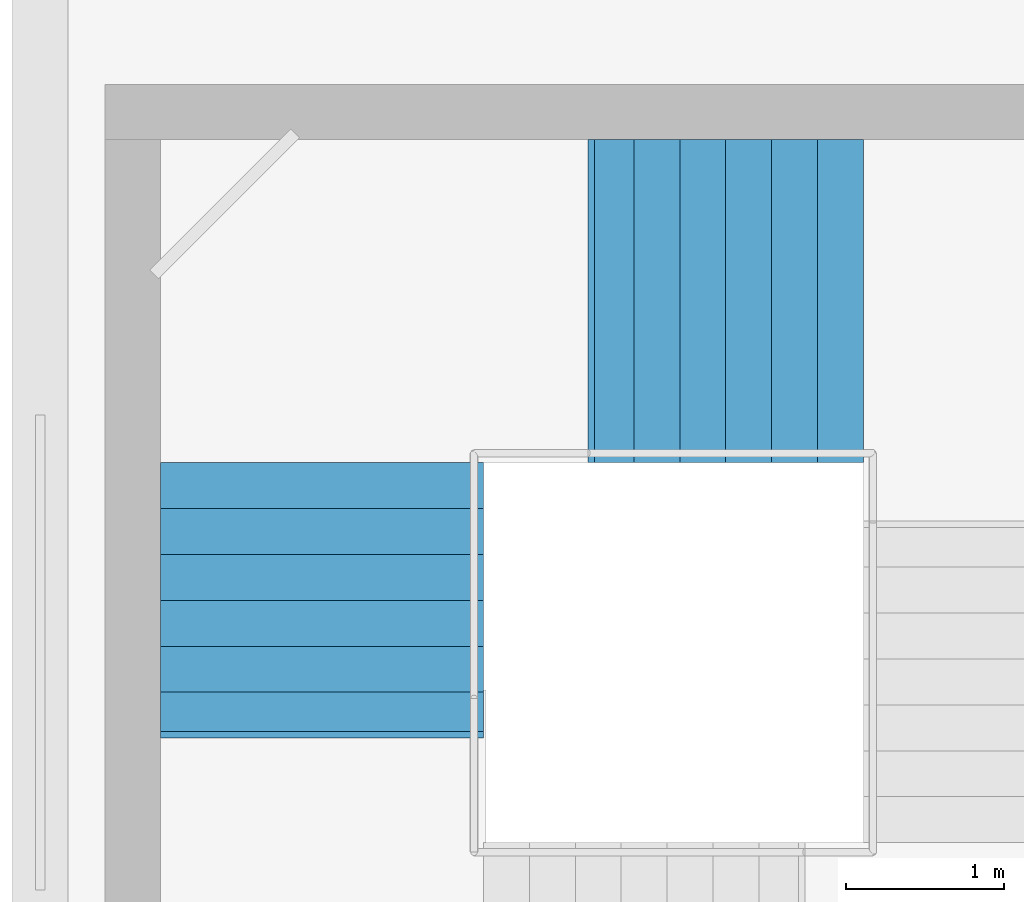
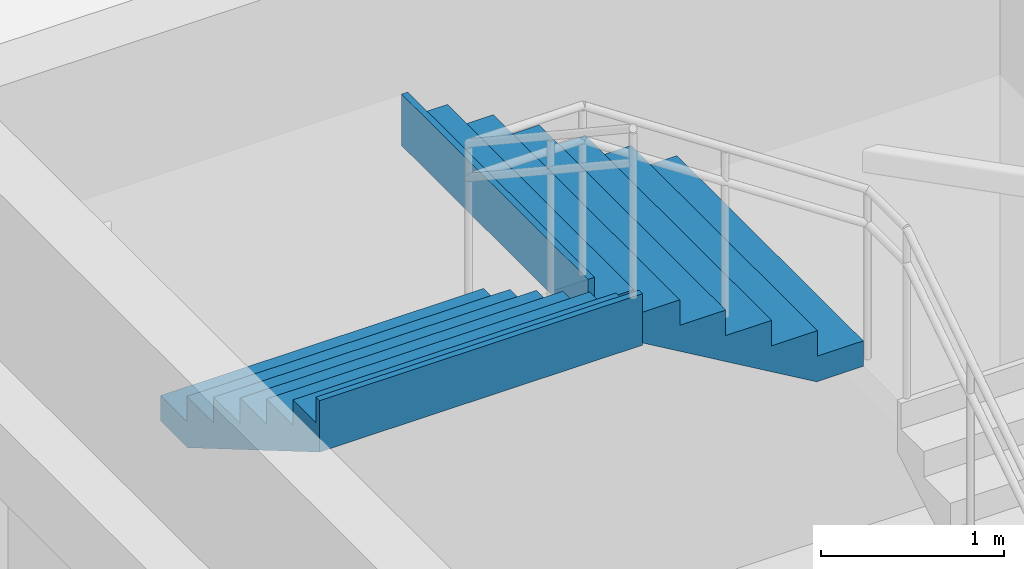
# One storey, part 64 of 67: 2 stair flights, 1 element without a shape of its own.
"""IFC4 building model written with IfcOpenShell, lengths in metres."""

from ifc_helpers import new_model, si_unit, direction, frame, origin, place, context, subcontext, project, spatial, triangles, material, type_object, element, aggregate, save


model = new_model("IFC4")

# Units and contexts
model_context = context("Model", 3, precision=1e-05, world=origin(), true_north=direction((0.0, 1.0)))
body_context = subcontext(model_context, "Body", "Model", "MODEL_VIEW")
ifc_project = project(units=[si_unit("LENGTHUNIT", "METRE"), si_unit("AREAUNIT", "SQUARE_METRE"), si_unit("VOLUMEUNIT", "CUBIC_METRE"), si_unit("PLANEANGLEUNIT", "RADIAN"), si_unit("MASSUNIT", "GRAM", prefix="KILO")], contexts=[model_context])

# Site, building, storey
site_placement = place(None, origin())
site = spatial("IfcSite", under=ifc_project, at=site_placement, CompositionType="ELEMENT")
building_placement = place(site_placement, origin())
building = spatial("IfcBuilding", under=site, at=building_placement, Name="Sillaruma Civic Art Gallery", CompositionType="ELEMENT")
storey_placement = place(building_placement, frame((0.0, 0.0, 46.919921875)))
storey = spatial("IfcBuildingStorey", under=building, at=storey_placement, Name="L09", CompositionType="ELEMENT", Elevation=46.919921875)

# Stair, stair flights
ifc_material = material(Name="Concrete H35 (35 MPa)", Category="concrete")
stair_type = type_object("IfcStairType", Name="STR-4F-30", PredefinedType="USERDEFINED", material=ifc_material)
stair_placement = place(storey_placement, origin())
stair = element("IfcStair", 1, at=stair_placement, inside=storey, type_object=stair_type, Name="Protected Exit Stair ST-02 (West Bar North) (L09)", ObjectType="THREE_RETURN_STAIR", PredefinedType="USERDEFINED")
stair_flight_type = type_object("IfcStairFlightType", Name="SFL-STR-7", PredefinedType="STRAIGHT", material=ifc_material)
stair_flight_1_placement = place(storey_placement, frame((67.199951171875, 86.3701171875, 2.719970703125), z_axis=(0.0, 0.0, 1.0), x_axis=(-1.0, 0.0, 0.0)))
stair_flight_1 = element("IfcStairFlight", 2, at=stair_flight_1_placement, type_object=stair_flight_type, Name="ST-02 flight 3", NumberOfRisers=7, NumberOfTreads=6, PredefinedType="STRAIGHT", RiserHeight=0.17, TreadLength=0.29, context=body_context, shape_type="Tessellation", body=[
    triangles([(0.0, -1.02001953125, 0.0), (0.29, -1.02001953125, 0.0), (0.296404, -1.02001953125, 0.0), (0.58, -1.02001953125, 0.166246), (0.87, -1.02001953125, 0.336246), (1.16, -1.02001953125, 0.506246), (1.45, -1.02001953125, 0.676246), (1.69999, -1.02001953125, 0.822792), (1.73999, -1.02001953125, 0.84624), (1.73999, -1.02001953125, 1.19), (1.69999, -1.02001953125, 1.19), (1.69999, -1.02001953125, 1.02), (1.45, -1.02001953125, 1.02), (1.45, -1.02001953125, 0.85), (1.16, -1.02001953125, 0.85), (1.16, -1.02001953125, 0.68), (0.87, -1.02001953125, 0.68), (0.87, -1.02001953125, 0.51), (0.58, -1.02001953125, 0.51), (0.58, -1.02001953125, 0.34), (0.296404, -1.02001953125, 0.34), (0.29, -1.02001953125, 0.34), (0.29, -1.02001953125, 0.17), (0.0, -1.02001953125, 0.17), (0.0, -0.05, 0.0), (0.29, -0.05, 0.0), (0.296404, -0.05, 0.0), (0.58, -0.05, 0.166246), (0.87, -0.05, 0.336246), (1.16, -0.05, 0.506246), (1.45, -0.05, 0.676246), (1.69999, -0.05, 0.822792), (1.73999, -0.05, 0.84624), (1.73999, -0.05, 1.19), (1.69999, -0.05, 1.19), (1.69999, -0.05, 1.02), (1.45, -0.05, 1.02), (1.45, -0.05, 0.85), (1.16, -0.05, 0.85), (1.16, -0.05, 0.68), (0.87, -0.05, 0.68), (0.87, -0.05, 0.51), (0.58, -0.05, 0.51), (0.58, -0.05, 0.34), (0.296404, -0.05, 0.34), (0.29, -0.05, 0.34), (0.29, -0.05, 0.17), (0.0, -0.05, 0.17), (0.0, -0.0375, 0.0), (0.29, -0.0375, 0.0), (0.296404, -0.0375, 0.0), (0.58, -0.0375, 0.166246), (0.87, -0.0375, 0.336246), (1.16, -0.0375, 0.506246), (1.45, -0.0375, 0.676246), (1.69999, -0.0375, 0.822792), (1.73999, -0.0375, 0.84624), (1.73999, -0.0375, 1.19), (1.69999, -0.0375, 1.19), (1.69999, -0.0375, 1.02), (1.45, -0.0375, 1.02), (1.45, -0.0375, 0.85), (1.16, -0.0375, 0.85), (1.16, -0.0375, 0.68), (0.87, -0.0375, 0.68), (0.87, -0.0375, 0.51), (0.58, -0.0375, 0.51), (0.58, -0.0375, 0.34), (0.296404, -0.0375, 0.34), (0.29, -0.0375, 0.34), (0.29, -0.0375, 0.17), (0.0, -0.0375, 0.17), (0.0, -0.025, 0.0), (0.29, -0.025, 0.0), (0.296404, -0.025, 0.0), (0.58, -0.025, 0.166246), (0.87, -0.025, 0.336246), (1.16, -0.025, 0.506246), (1.45, -0.025, 0.676246), (1.69999, -0.025, 0.822792), (1.73999, -0.025, 0.84624), (1.73999, -0.025, 1.19), (1.69999, -0.025, 1.19), (1.69999, -0.025, 1.02), (1.45, -0.025, 1.02), (1.45, -0.025, 0.85), (1.16, -0.025, 0.85), (1.16, -0.025, 0.68), (0.87, -0.025, 0.68), (0.87, -0.025, 0.51), (0.58, -0.025, 0.51), (0.58, -0.025, 0.34), (0.296404, -0.025, 0.34), (0.29, -0.025, 0.34), (0.29, -0.025, 0.17), (0.0, -0.025, 0.17), (0.0, -0.0125, 0.0), (0.29, -0.0125, 0.0), (0.296404, -0.0125, 0.0), (0.58, -0.0125, 0.166246), (0.87, -0.0125, 0.336246), (1.16, -0.0125, 0.506246), (1.45, -0.0125, 0.676246), (1.69999, -0.0125, 0.822792), (1.73999, -0.0125, 0.84624), (1.73999, -0.0125, 1.19), (1.69999, -0.0125, 1.19), (1.69999, -0.0125, 1.02), (1.45, -0.0125, 1.02), (1.45, -0.0125, 0.85), (1.16, -0.0125, 0.85), (1.16, -0.0125, 0.68), (0.87, -0.0125, 0.68), (0.87, -0.0125, 0.51), (0.58, -0.0125, 0.51), (0.58, -0.0125, 0.34), (0.296404, -0.0125, 0.34), (0.29, -0.0125, 0.34), (0.29, -0.0125, 0.17), (0.0, -0.0125, 0.17), (0.0, 0.0, 0.0), (0.29, 0.0, 0.0), (0.296404, 0.0, 0.0), (0.58, 0.0, 0.166246), (0.87, 0.0, 0.336246), (1.16, 0.0, 0.506246), (1.45, 0.0, 0.676246), (1.69999, 0.0, 0.822792), (1.73999, 0.0, 0.84624), (1.73999, 0.0, 1.19), (1.69999, 0.0, 1.19), (1.69999, 0.0, 1.02), (1.45, 0.0, 1.02), (1.45, 0.0, 0.85), (1.16, 0.0, 0.85), (1.16, 0.0, 0.68), (0.87, 0.0, 0.68), (0.87, 0.0, 0.51), (0.58, 0.0, 0.51), (0.58, 0.0, 0.34), (0.296404, 0.0, 0.34), (0.29, 0.0, 0.34), (0.29, 0.0, 0.17), (0.0, 0.0, 0.17), (0.0, 0.0125, 0.0), (0.29, 0.0125, 0.0), (0.296404, 0.0125, 0.0), (0.58, 0.0125, 0.166246), (0.87, 0.0125, 0.336246), (1.16, 0.0125, 0.506246), (1.45, 0.0125, 0.676246), (1.69999, 0.0125, 0.822792), (1.73999, 0.0125, 0.84624), (1.73999, 0.0125, 1.19), (1.69999, 0.0125, 1.19), (1.69999, 0.0125, 1.02), (1.45, 0.0125, 1.02), (1.45, 0.0125, 0.85), (1.16, 0.0125, 0.85), (1.16, 0.0125, 0.68), (0.87, 0.0125, 0.68), (0.87, 0.0125, 0.51), (0.58, 0.0125, 0.51), (0.58, 0.0125, 0.34), (0.296404, 0.0125, 0.34), (0.29, 0.0125, 0.34), (0.29, 0.0125, 0.17), (0.0, 0.0125, 0.17), (0.0, 0.025, 0.0), (0.29, 0.025, 0.0), (0.296404, 0.025, 0.0), (0.58, 0.025, 0.166246), (0.87, 0.025, 0.336246), (1.16, 0.025, 0.506246), (1.45, 0.025, 0.676246), (1.69999, 0.025, 0.822792), (1.73999, 0.025, 0.84624), (1.73999, 0.025, 1.19), (1.69999, 0.025, 1.19), (1.69999, 0.025, 1.02), (1.45, 0.025, 1.02), (1.45, 0.025, 0.85), (1.16, 0.025, 0.85), (1.16, 0.025, 0.68), (0.87, 0.025, 0.68), (0.87, 0.025, 0.51), (0.58, 0.025, 0.51), (0.58, 0.025, 0.34), (0.296404, 0.025, 0.34), (0.29, 0.025, 0.34), (0.29, 0.025, 0.17), (0.0, 0.025, 0.17), (0.0, 0.0375, 0.0), (0.29, 0.0375, 0.0), (0.296404, 0.0375, 0.0), (0.58, 0.0375, 0.166246), (0.87, 0.0375, 0.336246), (1.16, 0.0375, 0.506246), (1.45, 0.0375, 0.676246), (1.69999, 0.0375, 0.822792), (1.73999, 0.0375, 0.84624), (1.73999, 0.0375, 1.19), (1.69999, 0.0375, 1.19), (1.69999, 0.0375, 1.02), (1.45, 0.0375, 1.02), (1.45, 0.0375, 0.85), (1.16, 0.0375, 0.85), (1.16, 0.0375, 0.68), (0.87, 0.0375, 0.68), (0.87, 0.0375, 0.51), (0.58, 0.0375, 0.51), (0.58, 0.0375, 0.34), (0.296404, 0.0375, 0.34), (0.29, 0.0375, 0.34), (0.29, 0.0375, 0.17), (0.0, 0.0375, 0.17), (0.0, 0.05, 0.0), (0.29, 0.05, 0.0), (0.296404, 0.05, 0.0), (0.58, 0.05, 0.166246), (0.87, 0.05, 0.336246), (1.16, 0.05, 0.506246), (1.45, 0.05, 0.676246), (1.69999, 0.05, 0.822792), (1.73999, 0.05, 0.84624), (1.73999, 0.05, 1.19), (1.69999, 0.05, 1.19), (1.69999, 0.05, 1.02), (1.45, 0.05, 1.02), (1.45, 0.05, 0.85), (1.16, 0.05, 0.85), (1.16, 0.05, 0.68), (0.87, 0.05, 0.68), (0.87, 0.05, 0.51), (0.58, 0.05, 0.51), (0.58, 0.05, 0.34), (0.296404, 0.05, 0.34), (0.29, 0.05, 0.34), (0.29, 0.05, 0.17), (0.0, 0.05, 0.17), (0.0, 1.02001953125, 0.0), (0.29, 1.02001953125, 0.0), (0.296404, 1.02001953125, 0.0), (0.58, 1.02001953125, 0.166246), (0.87, 1.02001953125, 0.336246), (1.16, 1.02001953125, 0.506246), (1.45, 1.02001953125, 0.676246), (1.69999, 1.02001953125, 0.822792), (1.73999, 1.02001953125, 0.84624), (1.73999, 1.02001953125, 1.19), (1.69999, 1.02001953125, 1.19), (1.69999, 1.02001953125, 1.02), (1.45, 1.02001953125, 1.02), (1.45, 1.02001953125, 0.85), (1.16, 1.02001953125, 0.85), (1.16, 1.02001953125, 0.68), (0.87, 1.02001953125, 0.68), (0.87, 1.02001953125, 0.51), (0.58, 1.02001953125, 0.51), (0.58, 1.02001953125, 0.34), (0.296404, 1.02001953125, 0.34), (0.29, 1.02001953125, 0.34), (0.29, 1.02001953125, 0.17), (0.0, 1.02001953125, 0.17)], [[1, 2, 23], [1, 23, 24], [2, 3, 21], [2, 21, 23], [23, 21, 22], [3, 4, 20], [3, 20, 21], [4, 5, 18], [4, 18, 20], [20, 18, 19], [5, 6, 16], [5, 16, 18], [18, 16, 17], [6, 7, 14], [6, 14, 16], [16, 14, 15], [7, 8, 12], [7, 12, 14], [14, 12, 13], [8, 9, 10], [8, 10, 12], [12, 10, 11], [263, 242, 241], [264, 263, 241], [261, 243, 242], [263, 261, 242], [262, 261, 263], [260, 244, 243], [261, 260, 243], [258, 245, 244], [260, 258, 244], [259, 258, 260], [256, 246, 245], [258, 256, 245], [257, 256, 258], [254, 247, 246], [256, 254, 246], [255, 254, 256], [252, 248, 247], [254, 252, 247], [253, 252, 254], [250, 249, 248], [252, 250, 248], [251, 250, 252], [2, 1, 25], [2, 25, 26], [3, 2, 26], [3, 26, 27], [4, 3, 27], [4, 27, 28], [5, 4, 28], [5, 28, 29], [6, 5, 29], [6, 29, 30], [7, 6, 30], [7, 30, 31], [8, 7, 31], [8, 31, 32], [9, 8, 32], [9, 32, 33], [10, 9, 33], [10, 33, 34], [11, 10, 34], [11, 34, 35], [12, 11, 35], [12, 35, 36], [13, 12, 36], [13, 36, 37], [14, 13, 37], [14, 37, 38], [15, 14, 38], [15, 38, 39], [16, 15, 39], [16, 39, 40], [17, 16, 40], [17, 40, 41], [18, 17, 41], [18, 41, 42], [19, 18, 42], [19, 42, 43], [20, 19, 43], [20, 43, 44], [21, 20, 44], [21, 44, 45], [22, 21, 45], [22, 45, 46], [23, 22, 46], [23, 46, 47], [24, 23, 47], [24, 47, 48], [1, 24, 48], [1, 48, 25], [26, 25, 49], [26, 49, 50], [27, 26, 50], [27, 50, 51], [28, 27, 51], [28, 51, 52], [29, 28, 52], [29, 52, 53], [30, 29, 53], [30, 53, 54], [31, 30, 54], [31, 54, 55], [32, 31, 55], [32, 55, 56], [33, 32, 56], [33, 56, 57], [34, 33, 57], [34, 57, 58], [35, 34, 58], [35, 58, 59], [36, 35, 59], [36, 59, 60], [37, 36, 60], [37, 60, 61], [38, 37, 61], [38, 61, 62], [39, 38, 62], [39, 62, 63], [40, 39, 63], [40, 63, 64], [41, 40, 64], [41, 64, 65], [42, 41, 65], [42, 65, 66], [43, 42, 66], [43, 66, 67], [44, 43, 67], [44, 67, 68], [45, 44, 68], [45, 68, 69], [46, 45, 69], [46, 69, 70], [47, 46, 70], [47, 70, 71], [48, 47, 71], [48, 71, 72], [25, 48, 72], [25, 72, 49], [50, 49, 73], [50, 73, 74], [51, 50, 74], [51, 74, 75], [52, 51, 75], [52, 75, 76], [53, 52, 76], [53, 76, 77], [54, 53, 77], [54, 77, 78], [55, 54, 78], [55, 78, 79], [56, 55, 79], [56, 79, 80], [57, 56, 80], [57, 80, 81], [58, 57, 81], [58, 81, 82], [59, 58, 82], [59, 82, 83], [60, 59, 83], [60, 83, 84], [61, 60, 84], [61, 84, 85], [62, 61, 85], [62, 85, 86], [63, 62, 86], [63, 86, 87], [64, 63, 87], [64, 87, 88], [65, 64, 88], [65, 88, 89], [66, 65, 89], [66, 89, 90], [67, 66, 90], [67, 90, 91], [68, 67, 91], [68, 91, 92], [69, 68, 92], [69, 92, 93], [70, 69, 93], [70, 93, 94], [71, 70, 94], [71, 94, 95], [72, 71, 95], [72, 95, 96], [49, 72, 96], [49, 96, 73], [74, 73, 97], [74, 97, 98], [75, 74, 98], [75, 98, 99], [76, 75, 99], [76, 99, 100], [77, 76, 100], [77, 100, 101], [78, 77, 101], [78, 101, 102], [79, 78, 102], [79, 102, 103], [80, 79, 103], [80, 103, 104], [81, 80, 104], [81, 104, 105], [82, 81, 105], [82, 105, 106], [83, 82, 106], [83, 106, 107], [84, 83, 107], [84, 107, 108], [85, 84, 108], [85, 108, 109], [86, 85, 109], [86, 109, 110], [87, 86, 110], [87, 110, 111], [88, 87, 111], [88, 111, 112], [89, 88, 112], [89, 112, 113], [90, 89, 113], [90, 113, 114], [91, 90, 114], [91, 114, 115], [92, 91, 115], [92, 115, 116], [93, 92, 116], [93, 116, 117], [94, 93, 117], [94, 117, 118], [95, 94, 118], [95, 118, 119], [96, 95, 119], [96, 119, 120], [73, 96, 120], [73, 120, 97], [98, 97, 121], [98, 121, 122], [99, 98, 122], [99, 122, 123], [100, 99, 123], [100, 123, 124], [101, 100, 124], [101, 124, 125], [102, 101, 125], [102, 125, 126], [103, 102, 126], [103, 126, 127], [104, 103, 127], [104, 127, 128], [105, 104, 128], [105, 128, 129], [106, 105, 129], [106, 129, 130], [107, 106, 130], [107, 130, 131], [108, 107, 131], [108, 131, 132], [109, 108, 132], [109, 132, 133], [110, 109, 133], [110, 133, 134], [111, 110, 134], [111, 134, 135], [112, 111, 135], [112, 135, 136], [113, 112, 136], [113, 136, 137], [114, 113, 137], [114, 137, 138], [115, 114, 138], [115, 138, 139], [116, 115, 139], [116, 139, 140], [117, 116, 140], [117, 140, 141], [118, 117, 141], [118, 141, 142], [119, 118, 142], [119, 142, 143], [120, 119, 143], [120, 143, 144], [97, 120, 144], [97, 144, 121], [122, 121, 145], [122, 145, 146], [123, 122, 146], [123, 146, 147], [124, 123, 147], [124, 147, 148], [125, 124, 148], [125, 148, 149], [126, 125, 149], [126, 149, 150], [127, 126, 150], [127, 150, 151], [128, 127, 151], [128, 151, 152], [129, 128, 152], [129, 152, 153], [130, 129, 153], [130, 153, 154], [131, 130, 154], [131, 154, 155], [132, 131, 155], [132, 155, 156], [133, 132, 156], [133, 156, 157], [134, 133, 157], [134, 157, 158], [135, 134, 158], [135, 158, 159], [136, 135, 159], [136, 159, 160], [137, 136, 160], [137, 160, 161], [138, 137, 161], [138, 161, 162], [139, 138, 162], [139, 162, 163], [140, 139, 163], [140, 163, 164], [141, 140, 164], [141, 164, 165], [142, 141, 165], [142, 165, 166], [143, 142, 166], [143, 166, 167], [144, 143, 167], [144, 167, 168], [121, 144, 168], [121, 168, 145], [146, 145, 169], [146, 169, 170], [147, 146, 170], [147, 170, 171], [148, 147, 171], [148, 171, 172], [149, 148, 172], [149, 172, 173], [150, 149, 173], [150, 173, 174], [151, 150, 174], [151, 174, 175], [152, 151, 175], [152, 175, 176], [153, 152, 176], [153, 176, 177], [154, 153, 177], [154, 177, 178], [155, 154, 178], [155, 178, 179], [156, 155, 179], [156, 179, 180], [157, 156, 180], [157, 180, 181], [158, 157, 181], [158, 181, 182], [159, 158, 182], [159, 182, 183], [160, 159, 183], [160, 183, 184], [161, 160, 184], [161, 184, 185], [162, 161, 185], [162, 185, 186], [163, 162, 186], [163, 186, 187], [164, 163, 187], [164, 187, 188], [165, 164, 188], [165, 188, 189], [166, 165, 189], [166, 189, 190], [167, 166, 190], [167, 190, 191], [168, 167, 191], [168, 191, 192], [145, 168, 192], [145, 192, 169], [170, 169, 193], [170, 193, 194], [171, 170, 194], [171, 194, 195], [172, 171, 195], [172, 195, 196], [173, 172, 196], [173, 196, 197], [174, 173, 197], [174, 197, 198], [175, 174, 198], [175, 198, 199], [176, 175, 199], [176, 199, 200], [177, 176, 200], [177, 200, 201], [178, 177, 201], [178, 201, 202], [179, 178, 202], [179, 202, 203], [180, 179, 203], [180, 203, 204], [181, 180, 204], [181, 204, 205], [182, 181, 205], [182, 205, 206], [183, 182, 206], [183, 206, 207], [184, 183, 207], [184, 207, 208], [185, 184, 208], [185, 208, 209], [186, 185, 209], [186, 209, 210], [187, 186, 210], [187, 210, 211], [188, 187, 211], [188, 211, 212], [189, 188, 212], [189, 212, 213], [190, 189, 213], [190, 213, 214], [191, 190, 214], [191, 214, 215], [192, 191, 215], [192, 215, 216], [169, 192, 216], [169, 216, 193], [194, 193, 217], [194, 217, 218], [195, 194, 218], [195, 218, 219], [196, 195, 219], [196, 219, 220], [197, 196, 220], [197, 220, 221], [198, 197, 221], [198, 221, 222], [199, 198, 222], [199, 222, 223], [200, 199, 223], [200, 223, 224], [201, 200, 224], [201, 224, 225], [202, 201, 225], [202, 225, 226], [203, 202, 226], [203, 226, 227], [204, 203, 227], [204, 227, 228], [205, 204, 228], [205, 228, 229], [206, 205, 229], [206, 229, 230], [207, 206, 230], [207, 230, 231], [208, 207, 231], [208, 231, 232], [209, 208, 232], [209, 232, 233], [210, 209, 233], [210, 233, 234], [211, 210, 234], [211, 234, 235], [212, 211, 235], [212, 235, 236], [213, 212, 236], [213, 236, 237], [214, 213, 237], [214, 237, 238], [215, 214, 238], [215, 238, 239], [216, 215, 239], [216, 239, 240], [193, 216, 240], [193, 240, 217], [218, 217, 241], [218, 241, 242], [219, 218, 242], [219, 242, 243], [220, 219, 243], [220, 243, 244], [221, 220, 244], [221, 244, 245], [222, 221, 245], [222, 245, 246], [223, 222, 246], [223, 246, 247], [224, 223, 247], [224, 247, 248], [225, 224, 248], [225, 248, 249], [226, 225, 249], [226, 249, 250], [227, 226, 250], [227, 250, 251], [228, 227, 251], [228, 251, 252], [229, 228, 252], [229, 252, 253], [230, 229, 253], [230, 253, 254], [231, 230, 254], [231, 254, 255], [232, 231, 255], [232, 255, 256], [233, 232, 256], [233, 256, 257], [234, 233, 257], [234, 257, 258], [235, 234, 258], [235, 258, 259], [236, 235, 259], [236, 259, 260], [237, 236, 260], [237, 260, 261], [238, 237, 261], [238, 261, 262], [239, 238, 262], [239, 262, 263], [240, 239, 263], [240, 263, 264], [217, 240, 264], [217, 264, 241]], closed=True),
])
stair_flight_2_placement = place(storey_placement, frame((63.780029296875, 85.35009765625, 3.91015625), z_axis=(0.0, 0.0, 1.0), x_axis=(0.0, -1.0, 0.0)))
stair_flight_2 = element("IfcStairFlight", 3, at=stair_flight_2_placement, type_object=stair_flight_type, Name="ST-02 flight 4", NumberOfRisers=7, NumberOfTreads=6, PredefinedType="STRAIGHT", RiserHeight=0.17, TreadLength=0.29, context=body_context, shape_type="Tessellation", body=[
    triangles([(0.0, -1.02001953125, 0.0), (0.29, -1.02001953125, 0.0), (0.296404, -1.02001953125, 0.0), (0.58, -1.02001953125, 0.166246), (0.87, -1.02001953125, 0.336246), (1.16, -1.02001953125, 0.506246), (1.45, -1.02001953125, 0.676246), (1.69999, -1.02001953125, 0.822792), (1.73999, -1.02001953125, 0.84624), (1.73999, -1.02001953125, 1.19), (1.69999, -1.02001953125, 1.19), (1.69999, -1.02001953125, 1.02), (1.45, -1.02001953125, 1.02), (1.45, -1.02001953125, 0.85), (1.16, -1.02001953125, 0.85), (1.16, -1.02001953125, 0.68), (0.87, -1.02001953125, 0.68), (0.87, -1.02001953125, 0.51), (0.58, -1.02001953125, 0.51), (0.58, -1.02001953125, 0.34), (0.296404, -1.02001953125, 0.34), (0.29, -1.02001953125, 0.34), (0.29, -1.02001953125, 0.17), (0.0, -1.02001953125, 0.17), (0.0, -0.05, 0.0), (0.29, -0.05, 0.0), (0.296404, -0.05, 0.0), (0.58, -0.05, 0.166246), (0.87, -0.05, 0.336246), (1.16, -0.05, 0.506246), (1.45, -0.05, 0.676246), (1.69999, -0.05, 0.822792), (1.73999, -0.05, 0.84624), (1.73999, -0.05, 1.19), (1.69999, -0.05, 1.19), (1.69999, -0.05, 1.02), (1.45, -0.05, 1.02), (1.45, -0.05, 0.85), (1.16, -0.05, 0.85), (1.16, -0.05, 0.68), (0.87, -0.05, 0.68), (0.87, -0.05, 0.51), (0.58, -0.05, 0.51), (0.58, -0.05, 0.34), (0.296404, -0.05, 0.34), (0.29, -0.05, 0.34), (0.29, -0.05, 0.17), (0.0, -0.05, 0.17), (0.0, -0.0375, 0.0), (0.29, -0.0375, 0.0), (0.296404, -0.0375, 0.0), (0.58, -0.0375, 0.166246), (0.87, -0.0375, 0.336246), (1.16, -0.0375, 0.506246), (1.45, -0.0375, 0.676246), (1.69999, -0.0375, 0.822792), (1.73999, -0.0375, 0.84624), (1.73999, -0.0375, 1.19), (1.69999, -0.0375, 1.19), (1.69999, -0.0375, 1.02), (1.45, -0.0375, 1.02), (1.45, -0.0375, 0.85), (1.16, -0.0375, 0.85), (1.16, -0.0375, 0.68), (0.87, -0.0375, 0.68), (0.87, -0.0375, 0.51), (0.58, -0.0375, 0.51), (0.58, -0.0375, 0.34), (0.296404, -0.0375, 0.34), (0.29, -0.0375, 0.34), (0.29, -0.0375, 0.17), (0.0, -0.0375, 0.17), (0.0, -0.025, 0.0), (0.29, -0.025, 0.0), (0.296404, -0.025, 0.0), (0.58, -0.025, 0.166246), (0.87, -0.025, 0.336246), (1.16, -0.025, 0.506246), (1.45, -0.025, 0.676246), (1.69999, -0.025, 0.822792), (1.73999, -0.025, 0.84624), (1.73999, -0.025, 1.19), (1.69999, -0.025, 1.19), (1.69999, -0.025, 1.02), (1.45, -0.025, 1.02), (1.45, -0.025, 0.85), (1.16, -0.025, 0.85), (1.16, -0.025, 0.68), (0.87, -0.025, 0.68), (0.87, -0.025, 0.51), (0.58, -0.025, 0.51), (0.58, -0.025, 0.34), (0.296404, -0.025, 0.34), (0.29, -0.025, 0.34), (0.29, -0.025, 0.17), (0.0, -0.025, 0.17), (0.0, -0.0125, 0.0), (0.29, -0.0125, 0.0), (0.296404, -0.0125, 0.0), (0.58, -0.0125, 0.166246), (0.87, -0.0125, 0.336246), (1.16, -0.0125, 0.506246), (1.45, -0.0125, 0.676246), (1.69999, -0.0125, 0.822792), (1.73999, -0.0125, 0.84624), (1.73999, -0.0125, 1.19), (1.69999, -0.0125, 1.19), (1.69999, -0.0125, 1.02), (1.45, -0.0125, 1.02), (1.45, -0.0125, 0.85), (1.16, -0.0125, 0.85), (1.16, -0.0125, 0.68), (0.87, -0.0125, 0.68), (0.87, -0.0125, 0.51), (0.58, -0.0125, 0.51), (0.58, -0.0125, 0.34), (0.296404, -0.0125, 0.34), (0.29, -0.0125, 0.34), (0.29, -0.0125, 0.17), (0.0, -0.0125, 0.17), (0.0, 0.0, 0.0), (0.29, 0.0, 0.0), (0.296404, 0.0, 0.0), (0.58, 0.0, 0.166246), (0.87, 0.0, 0.336246), (1.16, 0.0, 0.506246), (1.45, 0.0, 0.676246), (1.69999, 0.0, 0.822792), (1.73999, 0.0, 0.84624), (1.73999, 0.0, 1.19), (1.69999, 0.0, 1.19), (1.69999, 0.0, 1.02), (1.45, 0.0, 1.02), (1.45, 0.0, 0.85), (1.16, 0.0, 0.85), (1.16, 0.0, 0.68), (0.87, 0.0, 0.68), (0.87, 0.0, 0.51), (0.58, 0.0, 0.51), (0.58, 0.0, 0.34), (0.296404, 0.0, 0.34), (0.29, 0.0, 0.34), (0.29, 0.0, 0.17), (0.0, 0.0, 0.17), (0.0, 0.0125, 0.0), (0.29, 0.0125, 0.0), (0.296404, 0.0125, 0.0), (0.58, 0.0125, 0.166246), (0.87, 0.0125, 0.336246), (1.16, 0.0125, 0.506246), (1.45, 0.0125, 0.676246), (1.69999, 0.0125, 0.822792), (1.73999, 0.0125, 0.84624), (1.73999, 0.0125, 1.19), (1.69999, 0.0125, 1.19), (1.69999, 0.0125, 1.02), (1.45, 0.0125, 1.02), (1.45, 0.0125, 0.85), (1.16, 0.0125, 0.85), (1.16, 0.0125, 0.68), (0.87, 0.0125, 0.68), (0.87, 0.0125, 0.51), (0.58, 0.0125, 0.51), (0.58, 0.0125, 0.34), (0.296404, 0.0125, 0.34), (0.29, 0.0125, 0.34), (0.29, 0.0125, 0.17), (0.0, 0.0125, 0.17), (0.0, 0.025, 0.0), (0.29, 0.025, 0.0), (0.296404, 0.025, 0.0), (0.58, 0.025, 0.166246), (0.87, 0.025, 0.336246), (1.16, 0.025, 0.506246), (1.45, 0.025, 0.676246), (1.69999, 0.025, 0.822792), (1.73999, 0.025, 0.84624), (1.73999, 0.025, 1.19), (1.69999, 0.025, 1.19), (1.69999, 0.025, 1.02), (1.45, 0.025, 1.02), (1.45, 0.025, 0.85), (1.16, 0.025, 0.85), (1.16, 0.025, 0.68), (0.87, 0.025, 0.68), (0.87, 0.025, 0.51), (0.58, 0.025, 0.51), (0.58, 0.025, 0.34), (0.296404, 0.025, 0.34), (0.29, 0.025, 0.34), (0.29, 0.025, 0.17), (0.0, 0.025, 0.17), (0.0, 0.0375, 0.0), (0.29, 0.0375, 0.0), (0.296404, 0.0375, 0.0), (0.58, 0.0375, 0.166246), (0.87, 0.0375, 0.336246), (1.16, 0.0375, 0.506246), (1.45, 0.0375, 0.676246), (1.69999, 0.0375, 0.822792), (1.73999, 0.0375, 0.84624), (1.73999, 0.0375, 1.19), (1.69999, 0.0375, 1.19), (1.69999, 0.0375, 1.02), (1.45, 0.0375, 1.02), (1.45, 0.0375, 0.85), (1.16, 0.0375, 0.85), (1.16, 0.0375, 0.68), (0.87, 0.0375, 0.68), (0.87, 0.0375, 0.51), (0.58, 0.0375, 0.51), (0.58, 0.0375, 0.34), (0.296404, 0.0375, 0.34), (0.29, 0.0375, 0.34), (0.29, 0.0375, 0.17), (0.0, 0.0375, 0.17), (0.0, 0.05, 0.0), (0.29, 0.05, 0.0), (0.296404, 0.05, 0.0), (0.58, 0.05, 0.166246), (0.87, 0.05, 0.336246), (1.16, 0.05, 0.506246), (1.45, 0.05, 0.676246), (1.69999, 0.05, 0.822792), (1.73999, 0.05, 0.84624), (1.73999, 0.05, 1.19), (1.69999, 0.05, 1.19), (1.69999, 0.05, 1.02), (1.45, 0.05, 1.02), (1.45, 0.05, 0.85), (1.16, 0.05, 0.85), (1.16, 0.05, 0.68), (0.87, 0.05, 0.68), (0.87, 0.05, 0.51), (0.58, 0.05, 0.51), (0.58, 0.05, 0.34), (0.296404, 0.05, 0.34), (0.29, 0.05, 0.34), (0.29, 0.05, 0.17), (0.0, 0.05, 0.17), (0.0, 1.02001953125, 0.0), (0.29, 1.02001953125, 0.0), (0.296404, 1.02001953125, 0.0), (0.58, 1.02001953125, 0.166246), (0.87, 1.02001953125, 0.336246), (1.16, 1.02001953125, 0.506246), (1.45, 1.02001953125, 0.676246), (1.69999, 1.02001953125, 0.822792), (1.73999, 1.02001953125, 0.84624), (1.73999, 1.02001953125, 1.19), (1.69999, 1.02001953125, 1.19), (1.69999, 1.02001953125, 1.02), (1.45, 1.02001953125, 1.02), (1.45, 1.02001953125, 0.85), (1.16, 1.02001953125, 0.85), (1.16, 1.02001953125, 0.68), (0.87, 1.02001953125, 0.68), (0.87, 1.02001953125, 0.51), (0.58, 1.02001953125, 0.51), (0.58, 1.02001953125, 0.34), (0.296404, 1.02001953125, 0.34), (0.29, 1.02001953125, 0.34), (0.29, 1.02001953125, 0.17), (0.0, 1.02001953125, 0.17)], [[1, 2, 23], [1, 23, 24], [2, 3, 21], [2, 21, 23], [23, 21, 22], [3, 4, 20], [3, 20, 21], [4, 5, 18], [4, 18, 20], [20, 18, 19], [5, 6, 16], [5, 16, 18], [18, 16, 17], [6, 7, 14], [6, 14, 16], [16, 14, 15], [7, 8, 12], [7, 12, 14], [14, 12, 13], [8, 9, 10], [8, 10, 12], [12, 10, 11], [263, 242, 241], [264, 263, 241], [261, 243, 242], [263, 261, 242], [262, 261, 263], [260, 244, 243], [261, 260, 243], [258, 245, 244], [260, 258, 244], [259, 258, 260], [256, 246, 245], [258, 256, 245], [257, 256, 258], [254, 247, 246], [256, 254, 246], [255, 254, 256], [252, 248, 247], [254, 252, 247], [253, 252, 254], [250, 249, 248], [252, 250, 248], [251, 250, 252], [2, 1, 25], [2, 25, 26], [3, 2, 26], [3, 26, 27], [4, 3, 27], [4, 27, 28], [5, 4, 28], [5, 28, 29], [6, 5, 29], [6, 29, 30], [7, 6, 30], [7, 30, 31], [8, 7, 31], [8, 31, 32], [9, 8, 32], [9, 32, 33], [10, 9, 33], [10, 33, 34], [11, 10, 34], [11, 34, 35], [12, 11, 35], [12, 35, 36], [13, 12, 36], [13, 36, 37], [14, 13, 37], [14, 37, 38], [15, 14, 38], [15, 38, 39], [16, 15, 39], [16, 39, 40], [17, 16, 40], [17, 40, 41], [18, 17, 41], [18, 41, 42], [19, 18, 42], [19, 42, 43], [20, 19, 43], [20, 43, 44], [21, 20, 44], [21, 44, 45], [22, 21, 45], [22, 45, 46], [23, 22, 46], [23, 46, 47], [24, 23, 47], [24, 47, 48], [1, 24, 48], [1, 48, 25], [26, 25, 49], [26, 49, 50], [27, 26, 50], [27, 50, 51], [28, 27, 51], [28, 51, 52], [29, 28, 52], [29, 52, 53], [30, 29, 53], [30, 53, 54], [31, 30, 54], [31, 54, 55], [32, 31, 55], [32, 55, 56], [33, 32, 56], [33, 56, 57], [34, 33, 57], [34, 57, 58], [35, 34, 58], [35, 58, 59], [36, 35, 59], [36, 59, 60], [37, 36, 60], [37, 60, 61], [38, 37, 61], [38, 61, 62], [39, 38, 62], [39, 62, 63], [40, 39, 63], [40, 63, 64], [41, 40, 64], [41, 64, 65], [42, 41, 65], [42, 65, 66], [43, 42, 66], [43, 66, 67], [44, 43, 67], [44, 67, 68], [45, 44, 68], [45, 68, 69], [46, 45, 69], [46, 69, 70], [47, 46, 70], [47, 70, 71], [48, 47, 71], [48, 71, 72], [25, 48, 72], [25, 72, 49], [50, 49, 73], [50, 73, 74], [51, 50, 74], [51, 74, 75], [52, 51, 75], [52, 75, 76], [53, 52, 76], [53, 76, 77], [54, 53, 77], [54, 77, 78], [55, 54, 78], [55, 78, 79], [56, 55, 79], [56, 79, 80], [57, 56, 80], [57, 80, 81], [58, 57, 81], [58, 81, 82], [59, 58, 82], [59, 82, 83], [60, 59, 83], [60, 83, 84], [61, 60, 84], [61, 84, 85], [62, 61, 85], [62, 85, 86], [63, 62, 86], [63, 86, 87], [64, 63, 87], [64, 87, 88], [65, 64, 88], [65, 88, 89], [66, 65, 89], [66, 89, 90], [67, 66, 90], [67, 90, 91], [68, 67, 91], [68, 91, 92], [69, 68, 92], [69, 92, 93], [70, 69, 93], [70, 93, 94], [71, 70, 94], [71, 94, 95], [72, 71, 95], [72, 95, 96], [49, 72, 96], [49, 96, 73], [74, 73, 97], [74, 97, 98], [75, 74, 98], [75, 98, 99], [76, 75, 99], [76, 99, 100], [77, 76, 100], [77, 100, 101], [78, 77, 101], [78, 101, 102], [79, 78, 102], [79, 102, 103], [80, 79, 103], [80, 103, 104], [81, 80, 104], [81, 104, 105], [82, 81, 105], [82, 105, 106], [83, 82, 106], [83, 106, 107], [84, 83, 107], [84, 107, 108], [85, 84, 108], [85, 108, 109], [86, 85, 109], [86, 109, 110], [87, 86, 110], [87, 110, 111], [88, 87, 111], [88, 111, 112], [89, 88, 112], [89, 112, 113], [90, 89, 113], [90, 113, 114], [91, 90, 114], [91, 114, 115], [92, 91, 115], [92, 115, 116], [93, 92, 116], [93, 116, 117], [94, 93, 117], [94, 117, 118], [95, 94, 118], [95, 118, 119], [96, 95, 119], [96, 119, 120], [73, 96, 120], [73, 120, 97], [98, 97, 121], [98, 121, 122], [99, 98, 122], [99, 122, 123], [100, 99, 123], [100, 123, 124], [101, 100, 124], [101, 124, 125], [102, 101, 125], [102, 125, 126], [103, 102, 126], [103, 126, 127], [104, 103, 127], [104, 127, 128], [105, 104, 128], [105, 128, 129], [106, 105, 129], [106, 129, 130], [107, 106, 130], [107, 130, 131], [108, 107, 131], [108, 131, 132], [109, 108, 132], [109, 132, 133], [110, 109, 133], [110, 133, 134], [111, 110, 134], [111, 134, 135], [112, 111, 135], [112, 135, 136], [113, 112, 136], [113, 136, 137], [114, 113, 137], [114, 137, 138], [115, 114, 138], [115, 138, 139], [116, 115, 139], [116, 139, 140], [117, 116, 140], [117, 140, 141], [118, 117, 141], [118, 141, 142], [119, 118, 142], [119, 142, 143], [120, 119, 143], [120, 143, 144], [97, 120, 144], [97, 144, 121], [122, 121, 145], [122, 145, 146], [123, 122, 146], [123, 146, 147], [124, 123, 147], [124, 147, 148], [125, 124, 148], [125, 148, 149], [126, 125, 149], [126, 149, 150], [127, 126, 150], [127, 150, 151], [128, 127, 151], [128, 151, 152], [129, 128, 152], [129, 152, 153], [130, 129, 153], [130, 153, 154], [131, 130, 154], [131, 154, 155], [132, 131, 155], [132, 155, 156], [133, 132, 156], [133, 156, 157], [134, 133, 157], [134, 157, 158], [135, 134, 158], [135, 158, 159], [136, 135, 159], [136, 159, 160], [137, 136, 160], [137, 160, 161], [138, 137, 161], [138, 161, 162], [139, 138, 162], [139, 162, 163], [140, 139, 163], [140, 163, 164], [141, 140, 164], [141, 164, 165], [142, 141, 165], [142, 165, 166], [143, 142, 166], [143, 166, 167], [144, 143, 167], [144, 167, 168], [121, 144, 168], [121, 168, 145], [146, 145, 169], [146, 169, 170], [147, 146, 170], [147, 170, 171], [148, 147, 171], [148, 171, 172], [149, 148, 172], [149, 172, 173], [150, 149, 173], [150, 173, 174], [151, 150, 174], [151, 174, 175], [152, 151, 175], [152, 175, 176], [153, 152, 176], [153, 176, 177], [154, 153, 177], [154, 177, 178], [155, 154, 178], [155, 178, 179], [156, 155, 179], [156, 179, 180], [157, 156, 180], [157, 180, 181], [158, 157, 181], [158, 181, 182], [159, 158, 182], [159, 182, 183], [160, 159, 183], [160, 183, 184], [161, 160, 184], [161, 184, 185], [162, 161, 185], [162, 185, 186], [163, 162, 186], [163, 186, 187], [164, 163, 187], [164, 187, 188], [165, 164, 188], [165, 188, 189], [166, 165, 189], [166, 189, 190], [167, 166, 190], [167, 190, 191], [168, 167, 191], [168, 191, 192], [145, 168, 192], [145, 192, 169], [170, 169, 193], [170, 193, 194], [171, 170, 194], [171, 194, 195], [172, 171, 195], [172, 195, 196], [173, 172, 196], [173, 196, 197], [174, 173, 197], [174, 197, 198], [175, 174, 198], [175, 198, 199], [176, 175, 199], [176, 199, 200], [177, 176, 200], [177, 200, 201], [178, 177, 201], [178, 201, 202], [179, 178, 202], [179, 202, 203], [180, 179, 203], [180, 203, 204], [181, 180, 204], [181, 204, 205], [182, 181, 205], [182, 205, 206], [183, 182, 206], [183, 206, 207], [184, 183, 207], [184, 207, 208], [185, 184, 208], [185, 208, 209], [186, 185, 209], [186, 209, 210], [187, 186, 210], [187, 210, 211], [188, 187, 211], [188, 211, 212], [189, 188, 212], [189, 212, 213], [190, 189, 213], [190, 213, 214], [191, 190, 214], [191, 214, 215], [192, 191, 215], [192, 215, 216], [169, 192, 216], [169, 216, 193], [194, 193, 217], [194, 217, 218], [195, 194, 218], [195, 218, 219], [196, 195, 219], [196, 219, 220], [197, 196, 220], [197, 220, 221], [198, 197, 221], [198, 221, 222], [199, 198, 222], [199, 222, 223], [200, 199, 223], [200, 223, 224], [201, 200, 224], [201, 224, 225], [202, 201, 225], [202, 225, 226], [203, 202, 226], [203, 226, 227], [204, 203, 227], [204, 227, 228], [205, 204, 228], [205, 228, 229], [206, 205, 229], [206, 229, 230], [207, 206, 230], [207, 230, 231], [208, 207, 231], [208, 231, 232], [209, 208, 232], [209, 232, 233], [210, 209, 233], [210, 233, 234], [211, 210, 234], [211, 234, 235], [212, 211, 235], [212, 235, 236], [213, 212, 236], [213, 236, 237], [214, 213, 237], [214, 237, 238], [215, 214, 238], [215, 238, 239], [216, 215, 239], [216, 239, 240], [193, 216, 240], [193, 240, 217], [218, 217, 241], [218, 241, 242], [219, 218, 242], [219, 242, 243], [220, 219, 243], [220, 243, 244], [221, 220, 244], [221, 244, 245], [222, 221, 245], [222, 245, 246], [223, 222, 246], [223, 246, 247], [224, 223, 247], [224, 247, 248], [225, 224, 248], [225, 248, 249], [226, 225, 249], [226, 249, 250], [227, 226, 250], [227, 250, 251], [228, 227, 251], [228, 251, 252], [229, 228, 252], [229, 252, 253], [230, 229, 253], [230, 253, 254], [231, 230, 254], [231, 254, 255], [232, 231, 255], [232, 255, 256], [233, 232, 256], [233, 256, 257], [234, 233, 257], [234, 257, 258], [235, 234, 258], [235, 258, 259], [236, 235, 259], [236, 259, 260], [237, 236, 260], [237, 260, 261], [238, 237, 261], [238, 261, 262], [239, 238, 262], [239, 262, 263], [240, 239, 263], [240, 263, 264], [217, 240, 264], [217, 264, 241]], closed=True),
])
aggregate(stair, [stair_flight_1, stair_flight_2])

save(model, "model.ifc")
